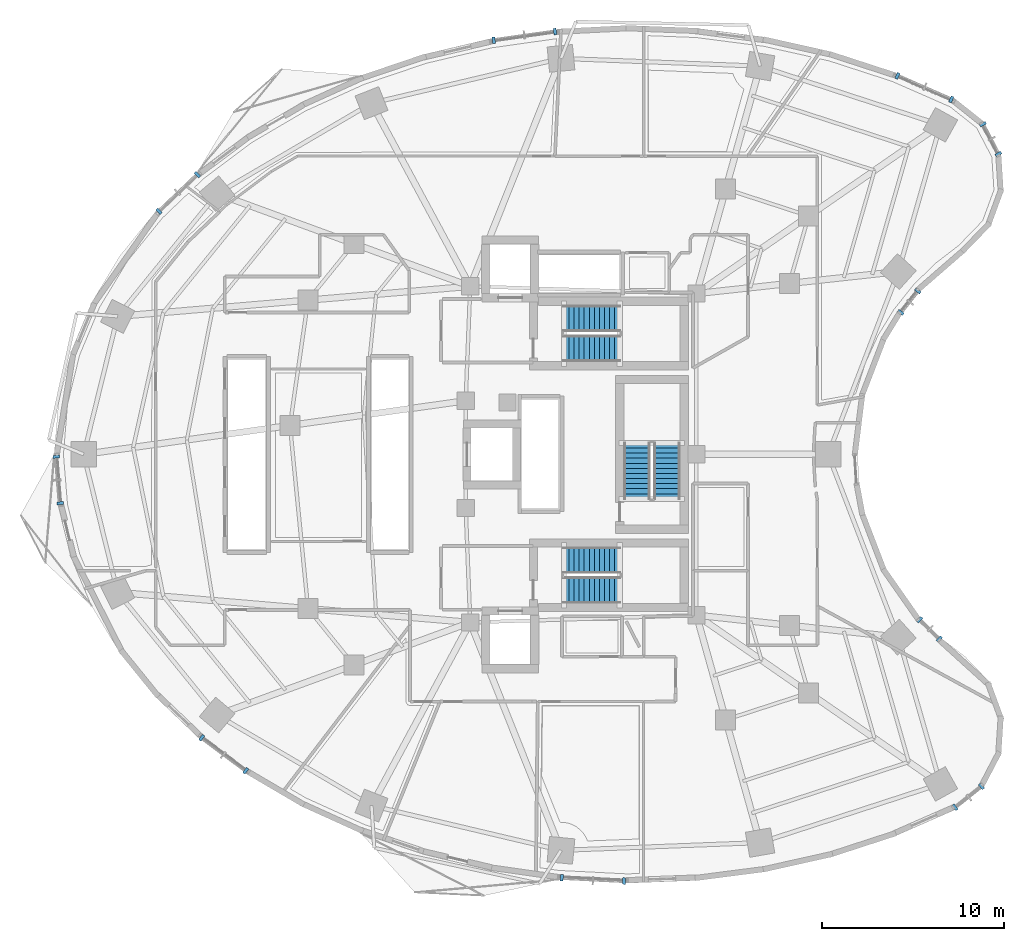
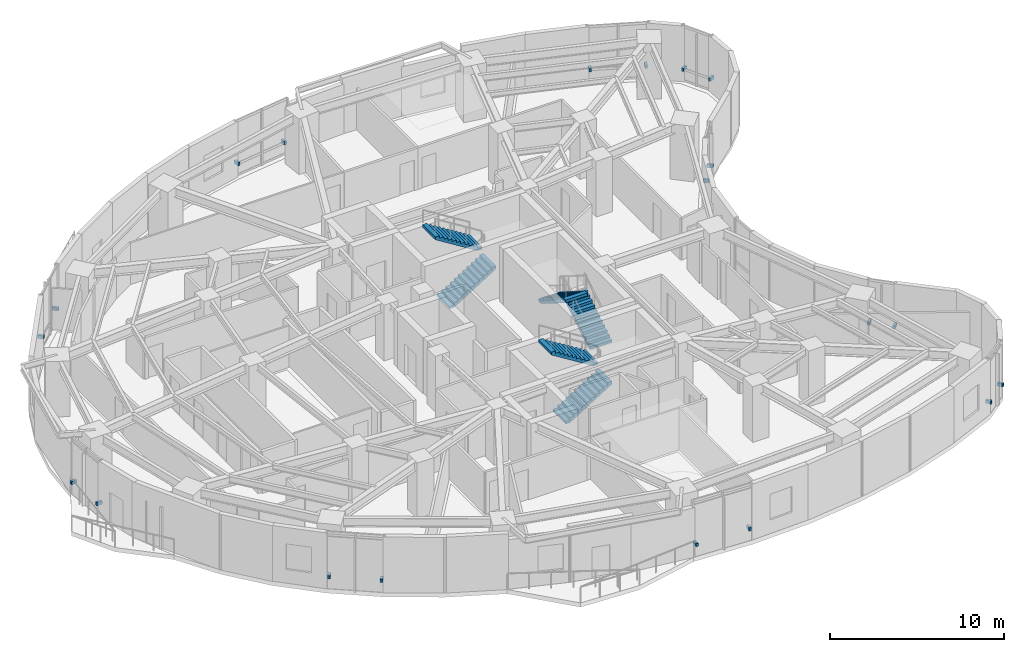
# One storey, part 12 of 15: 20 discrete accessories, 6 stair flights, 3 elements without a shape of their own.
"""IFC4 building model written with IfcOpenShell, lengths in metres."""

from ifc_helpers import new_model, si_unit, direction, frame, origin, origin_2d, place, context, subcontext, project, spatial, polyline, rectangle, outline, extrude, material, type_object, element, aggregate, save


model = new_model("IFC4")

# Units and contexts
model_context = context("Model", 3, precision=1e-05, world=origin(), true_north=direction((0.0, 1.0)))
body_context = subcontext(model_context, "Body", "Model", "MODEL_VIEW")
ifc_project = project(units=[si_unit("LENGTHUNIT", "METRE"), si_unit("AREAUNIT", "SQUARE_METRE"), si_unit("VOLUMEUNIT", "CUBIC_METRE"), si_unit("PLANEANGLEUNIT", "RADIAN"), si_unit("MASSUNIT", "GRAM", prefix="KILO")], contexts=[model_context])

# Site, building, storey
site_placement = place(None, origin())
site = spatial("IfcSite", under=ifc_project, at=site_placement, CompositionType="ELEMENT")
building_placement = place(site_placement, origin())
building = spatial("IfcBuilding", under=site, at=building_placement, Name="Korentha Bioscience Tower", CompositionType="ELEMENT")
storey_placement = place(building_placement, frame((0.0, 0.0, 38.39990234375)))
storey = spatial("IfcBuildingStorey", under=building, at=storey_placement, Name="L08", CompositionType="ELEMENT", Elevation=38.39990234375)

# Stair, stair flights
ifc_material_1 = material(Name="Precast Concrete C50", Category="concrete")
stair_type = type_object("IfcStairType", Name="Core Exit Dog-Leg Stair 1450", PredefinedType="HALF_TURN_STAIR", material=ifc_material_1)
stair_1_placement = place(storey_placement, origin())
stair_1 = element("IfcStair", 1, at=stair_1_placement, inside=storey, type_object=stair_type, Name="L08 Tower North Pressurized Exit Stair ST-1", PredefinedType="HALF_TURN_STAIR")
stair_flight_type = type_object("IfcStairFlightType", Name="Core Exit Dog-Leg Stair 1450 Flight", PredefinedType="STRAIGHT", material=ifc_material_1)
stair_flight_1_placement = place(storey_placement, frame((30.25, 32.824951171875, 0.0), z_axis=(0.0, 0.0, 1.0), x_axis=(1.0, 0.0, 0.0)))
stair_flight_1 = element("IfcStairFlight", 2, at=stair_flight_1_placement, type_object=stair_flight_type, Name="ST-1 flight 1", NumberOfRisers=12, NumberOfTreads=11, PredefinedType="STRAIGHT", RiserHeight=0.175, TreadLength=0.28, context=body_context, shape_type="SweptSolid", body=[
    extrude(outline(polyline([(0.0, 0.0), (0.0, 0.175048828125), (0.280029296875, 0.175048828125), (0.280029296875, 0.35009765625), (0.56005859375, 0.35009765625), (0.56005859375, 0.52490234375), (0.840087890625, 0.52490234375), (0.840087890625, 0.699951171875), (1.1201171875, 0.699951171875), (1.1201171875, 0.875), (1.39990234375, 0.875), (1.39990234375, 1.050048828125), (1.679931640625, 1.050048828125), (1.679931640625, 1.22509765625), (1.9599609375, 1.22509765625), (1.9599609375, 1.39990234375), (2.239990234375, 1.39990234375), (2.239990234375, 1.574951171875), (2.52001953125, 1.574951171875), (2.52001953125, 1.75), (2.800048828125, 1.75), (2.800048828125, 1.925048828125), (3.080078125, 1.925048828125), (3.080078125, 2.10009765625), (3.080078125, 1.736328125), (0.3017578125, 0.0), (0.0, 0.0)])), frame((0.0, 0.72509765625, 0.0), z_axis=(0.0, -1.0, 0.0), x_axis=(1.0, 0.0, 0.0)), (0.0, 0.0, 1.0), 1.449951171875),
])
stair_flight_2_placement = place(storey_placement, frame((33.330078125, 34.47509765625, 2.10009765625), z_axis=(0.0, 0.0, 1.0), x_axis=(-1.0, 0.0, 0.0)))
stair_flight_2 = element("IfcStairFlight", 3, at=stair_flight_2_placement, type_object=stair_flight_type, Name="ST-1 flight 2", NumberOfRisers=12, NumberOfTreads=11, PredefinedType="STRAIGHT", RiserHeight=0.175, TreadLength=0.28, context=body_context, shape_type="SweptSolid", body=[
    extrude(outline(polyline([(0.0, 0.0), (0.0, 0.175048828125), (0.280029296875, 0.175048828125), (0.280029296875, 0.35009765625), (0.56005859375, 0.35009765625), (0.56005859375, 0.52490234375), (0.840087890625, 0.52490234375), (0.840087890625, 0.699951171875), (1.1201171875, 0.699951171875), (1.1201171875, 0.875), (1.39990234375, 0.875), (1.39990234375, 1.050048828125), (1.679931640625, 1.050048828125), (1.679931640625, 1.22509765625), (1.9599609375, 1.22509765625), (1.9599609375, 1.39990234375), (2.239990234375, 1.39990234375), (2.239990234375, 1.574951171875), (2.52001953125, 1.574951171875), (2.52001953125, 1.75), (2.800048828125, 1.75), (2.800048828125, 1.925048828125), (3.080078125, 1.925048828125), (3.080078125, 2.10009765625), (3.080078125, 1.736328125), (0.3017578125, 0.0), (0.0, 0.0)])), frame((0.0, 0.72509765625, 0.0), z_axis=(0.0, -1.0, 0.0), x_axis=(1.0, 0.0, 0.0)), (0.0, 0.0, 1.0), 1.449951171875),
])
aggregate(stair_1, [stair_flight_1, stair_flight_2])

stair_2_placement = place(storey_placement, origin())
stair_2 = element("IfcStair", 4, at=stair_2_placement, inside=storey, type_object=stair_type, Name="L08 Tower South Pressurized Exit Stair ST-2", PredefinedType="HALF_TURN_STAIR")
stair_flight_3_placement = place(storey_placement, frame((30.25, 19.52490234375, 0.0), z_axis=(0.0, 0.0, 1.0), x_axis=(1.0, 0.0, 0.0)))
stair_flight_3 = element("IfcStairFlight", 5, at=stair_flight_3_placement, type_object=stair_flight_type, Name="ST-2 flight 1", NumberOfRisers=12, NumberOfTreads=11, PredefinedType="STRAIGHT", RiserHeight=0.175, TreadLength=0.28, context=body_context, shape_type="SweptSolid", body=[
    extrude(outline(polyline([(0.0, 0.0), (0.0, 0.175048828125), (0.280029296875, 0.175048828125), (0.280029296875, 0.35009765625), (0.56005859375, 0.35009765625), (0.56005859375, 0.52490234375), (0.840087890625, 0.52490234375), (0.840087890625, 0.699951171875), (1.1201171875, 0.699951171875), (1.1201171875, 0.875), (1.39990234375, 0.875), (1.39990234375, 1.050048828125), (1.679931640625, 1.050048828125), (1.679931640625, 1.22509765625), (1.9599609375, 1.22509765625), (1.9599609375, 1.39990234375), (2.239990234375, 1.39990234375), (2.239990234375, 1.574951171875), (2.52001953125, 1.574951171875), (2.52001953125, 1.75), (2.800048828125, 1.75), (2.800048828125, 1.925048828125), (3.080078125, 1.925048828125), (3.080078125, 2.10009765625), (3.080078125, 1.736328125), (0.3017578125, 0.0), (0.0, 0.0)])), frame((0.0, 0.72509765625, 0.0), z_axis=(0.0, -1.0, 0.0), x_axis=(1.0, 0.0, 0.0)), (0.0, 0.0, 1.0), 1.449951171875),
])
stair_flight_4_placement = place(storey_placement, frame((33.330078125, 21.175048828125, 2.10009765625), z_axis=(0.0, 0.0, 1.0), x_axis=(-1.0, 0.0, 0.0)))
stair_flight_4 = element("IfcStairFlight", 6, at=stair_flight_4_placement, type_object=stair_flight_type, Name="ST-2 flight 2", NumberOfRisers=12, NumberOfTreads=11, PredefinedType="STRAIGHT", RiserHeight=0.175, TreadLength=0.28, context=body_context, shape_type="SweptSolid", body=[
    extrude(outline(polyline([(0.0, 0.0), (0.0, 0.175048828125), (0.280029296875, 0.175048828125), (0.280029296875, 0.35009765625), (0.56005859375, 0.35009765625), (0.56005859375, 0.52490234375), (0.840087890625, 0.52490234375), (0.840087890625, 0.699951171875), (1.1201171875, 0.699951171875), (1.1201171875, 0.875), (1.39990234375, 0.875), (1.39990234375, 1.050048828125), (1.679931640625, 1.050048828125), (1.679931640625, 1.22509765625), (1.9599609375, 1.22509765625), (1.9599609375, 1.39990234375), (2.239990234375, 1.39990234375), (2.239990234375, 1.574951171875), (2.52001953125, 1.574951171875), (2.52001953125, 1.75), (2.800048828125, 1.75), (2.800048828125, 1.925048828125), (3.080078125, 1.925048828125), (3.080078125, 2.10009765625), (3.080078125, 1.736328125), (0.3017578125, 0.0), (0.0, 0.0)])), frame((0.0, 0.72509765625, 0.0), z_axis=(0.0, -1.0, 0.0), x_axis=(1.0, 0.0, 0.0)), (0.0, 0.0, 1.0), 1.449951171875),
])
aggregate(stair_2, [stair_flight_3, stair_flight_4])

stair_3_placement = place(storey_placement, origin())
stair_3 = element("IfcStair", 7, at=stair_3_placement, inside=storey, type_object=stair_type, Name="L08 Tower Central Pressurized Exit Stair ST-3", PredefinedType="HALF_TURN_STAIR")
stair_flight_5_placement = place(storey_placement, frame((35.925048828125, 24.550048828125, 0.0), z_axis=(0.0, 0.0, 1.0), x_axis=(0.0, 1.0, 0.0)))
stair_flight_5 = element("IfcStairFlight", 8, at=stair_flight_5_placement, type_object=stair_flight_type, Name="ST-3 flight 1", NumberOfRisers=12, NumberOfTreads=11, PredefinedType="STRAIGHT", RiserHeight=0.175, TreadLength=0.28, context=body_context, shape_type="SweptSolid", body=[
    extrude(outline(polyline([(0.0, 0.0), (0.0, 0.175048828125), (0.280029296875, 0.175048828125), (0.280029296875, 0.35009765625), (0.56005859375, 0.35009765625), (0.56005859375, 0.52490234375), (0.840087890625, 0.52490234375), (0.840087890625, 0.699951171875), (1.1201171875, 0.699951171875), (1.1201171875, 0.875), (1.39990234375, 0.875), (1.39990234375, 1.050048828125), (1.679931640625, 1.050048828125), (1.679931640625, 1.22509765625), (1.9599609375, 1.22509765625), (1.9599609375, 1.39990234375), (2.239990234375, 1.39990234375), (2.239990234375, 1.574951171875), (2.52001953125, 1.574951171875), (2.52001953125, 1.75), (2.800048828125, 1.75), (2.800048828125, 1.925048828125), (3.080078125, 1.925048828125), (3.080078125, 2.10009765625), (3.080078125, 1.736328125), (0.3017578125, 0.0), (0.0, 0.0)])), frame((0.0, 0.72509765625, 0.0), z_axis=(0.0, -1.0, 0.0), x_axis=(1.0, 0.0, 0.0)), (0.0, 0.0, 1.0), 1.449951171875),
])
stair_flight_6_placement = place(storey_placement, frame((34.27490234375, 27.6298828125, 2.10009765625), z_axis=(0.0, 0.0, 1.0), x_axis=(0.0, -1.0, 0.0)))
stair_flight_6 = element("IfcStairFlight", 9, at=stair_flight_6_placement, type_object=stair_flight_type, Name="ST-3 flight 2", NumberOfRisers=12, NumberOfTreads=11, PredefinedType="STRAIGHT", RiserHeight=0.175, TreadLength=0.28, context=body_context, shape_type="SweptSolid", body=[
    extrude(outline(polyline([(0.0, 0.0), (0.0, 0.175048828125), (0.280029296875, 0.175048828125), (0.280029296875, 0.35009765625), (0.56005859375, 0.35009765625), (0.56005859375, 0.52490234375), (0.840087890625, 0.52490234375), (0.840087890625, 0.699951171875), (1.1201171875, 0.699951171875), (1.1201171875, 0.875), (1.39990234375, 0.875), (1.39990234375, 1.050048828125), (1.679931640625, 1.050048828125), (1.679931640625, 1.22509765625), (1.9599609375, 1.22509765625), (1.9599609375, 1.39990234375), (2.239990234375, 1.39990234375), (2.239990234375, 1.574951171875), (2.52001953125, 1.574951171875), (2.52001953125, 1.75), (2.800048828125, 1.75), (2.800048828125, 1.925048828125), (3.080078125, 1.925048828125), (3.080078125, 2.10009765625), (3.080078125, 1.736328125), (0.3017578125, 0.0), (0.0, 0.0)])), frame((0.0, 0.72509765625, 0.0), z_axis=(0.0, -1.0, 0.0), x_axis=(1.0, 0.0, 0.0)), (0.0, 0.0, 1.0), 1.449951171875),
])
aggregate(stair_3, [stair_flight_5, stair_flight_6])

# Discrete accessories
ifc_material_2 = material(Name="Stainless Steel 316", Category="steel")
discrete_accessory_type = type_object("IfcDiscreteAccessoryType", Name="Stainless Steel Solar-Screen Outrigger Bracket", PredefinedType="BRACKET", material=ifc_material_2)
for number, where, z_axis, x_axis, name in (
    (10, (51.572998046875, 46.536865234375, 0.740234375), (0.0, 0.0, 1.0), (-0.91593909057, 0.401317308828, 0.0), "CW-L08-01 Solar-Screen Support Bracket 1"),
    (11, (48.61279296875, 47.833740234375, 0.740234375), (0.0, 0.0, 1.0), (-0.91593909057, 0.401317308828, 0.0), "CW-L08-01 Solar-Screen Support Bracket 2"),
    (12, (29.76611328125, 50.271240234375, 0.740234375), (0.0, 0.0, 1.0), (-0.990167372968, -0.139887717511, 0.0), "CW-L08-07 Solar-Screen Support Bracket 1"),
    (13, (26.39306640625, 49.794677734375, 0.740234375), (0.0, 0.0, 1.0), (-0.990167372968, -0.139887717511, 0.0), "CW-L08-07 Solar-Screen Support Bracket 2"),
    (14, (10.08251953125, 42.396728515625, 0.740234375), (0.0, 0.0, 1.0), (-0.723641761581, -0.690175775361, 0.0), "CW-L08-13 Solar-Screen Support Bracket 1"),
    (15, (7.966552734375, 40.378662109375, 0.740234375), (0.0, 0.0, 1.0), (-0.723641761581, -0.690175775361, 0.0), "CW-L08-13 Solar-Screen Support Bracket 2"),
    (16, (2.320556640625, 26.8740234375, 0.740234375), (0.0, 0.0, 1.0), (0.080820466375, -0.996728675325, 0.0), "CW-L08-19 Solar-Screen Support Bracket 1"),
    (17, (2.5283203125, 24.31298828125, 0.740234375), (0.0, 0.0, 1.0), (0.080820466375, -0.996728675325, 0.0), "CW-L08-19 Solar-Screen Support Bracket 2"),
    (18, (10.3212890625, 11.402099609375, 0.740234375), (0.0, 0.0, 1.0), (0.800797909614, -0.598934644145, 0.0), "CW-L08-25 Solar-Screen Support Bracket 1"),
    (19, (12.74609375, 9.58837890625, 0.740234375), (0.0, 0.0, 1.0), (0.800797909614, -0.598934644145, 0.0), "CW-L08-25 Solar-Screen Support Bracket 2"),
    (20, (30.14013671875, 3.693115234375, 0.740234375), (0.0, 0.0, 1.0), (0.998730551641, -0.050371472279, 0.0), "CW-L08-31 Solar-Screen Support Bracket 1"),
    (21, (33.565185546875, 3.520263671875, 0.740234375), (0.0, 0.0, 1.0), (0.998730551641, -0.050371472279, 0.0), "CW-L08-31 Solar-Screen Support Bracket 2"),
    (22, (51.781494140625, 7.57470703125, 0.740234375), (0.0, 0.0, 1.0), (0.782287851332, 0.62291710336, 0.0), "CW-L08-37 Solar-Screen Support Bracket 1"),
    (23, (53.232421875, 8.72998046875, 0.740234375), (0.0, 0.0, 1.0), (0.782287851332, 0.62291710336, 0.0), "CW-L08-37 Solar-Screen Support Bracket 2"),
    (24, (50.907470703125, 16.841552734375, 0.740234375), (0.0, 0.0, 1.0), (-0.713279246754, 0.700879958445, 0.0), "CW-L08-43 Solar-Screen Support Bracket 1"),
    (25, (49.829345703125, 17.901123046875, 0.740234375), (0.0, 0.0, 1.0), (-0.713279246754, 0.700879958445, 0.0), "CW-L08-43 Solar-Screen Support Bracket 2"),
    (26, (48.794921875, 34.812255859375, 0.740234375), (0.0, 0.0, 1.0), (0.622520324648, 0.782603632371, 0.0), "CW-L08-55 Solar-Screen Support Bracket 1"),
    (27, (49.736083984375, 35.995361328125, 0.740234375), (0.0, 0.0, 1.0), (0.622520324648, 0.782603632371, 0.0), "CW-L08-55 Solar-Screen Support Bracket 2"),
    (28, (54.169921875, 43.530517578125, 0.740234375), (0.0, 0.0, 1.0), (-0.463008597697, 0.886353788539, 0.0), "CW-L08-61 Solar-Screen Support Bracket 1"),
    (29, (53.31103515625, 45.1748046875, 0.740234375), (0.0, 0.0, 1.0), (-0.463008597697, 0.886353788539, 0.0), "CW-L08-61 Solar-Screen Support Bracket 2"),
):
    element("IfcDiscreteAccessory", number, at=place(storey_placement, frame(where, z_axis=z_axis, x_axis=x_axis)), inside=storey, type_object=discrete_accessory_type, Name=name, PredefinedType="BRACKET", context=body_context, shape_type="SweptSolid", body=[
        extrude(rectangle(XDim=0.159912109375, YDim=0.360107421875, at=origin_2d()), origin(), (0.0, 0.0, 1.0), 0.219970703125),
    ])

save(model, "model.ifc")
